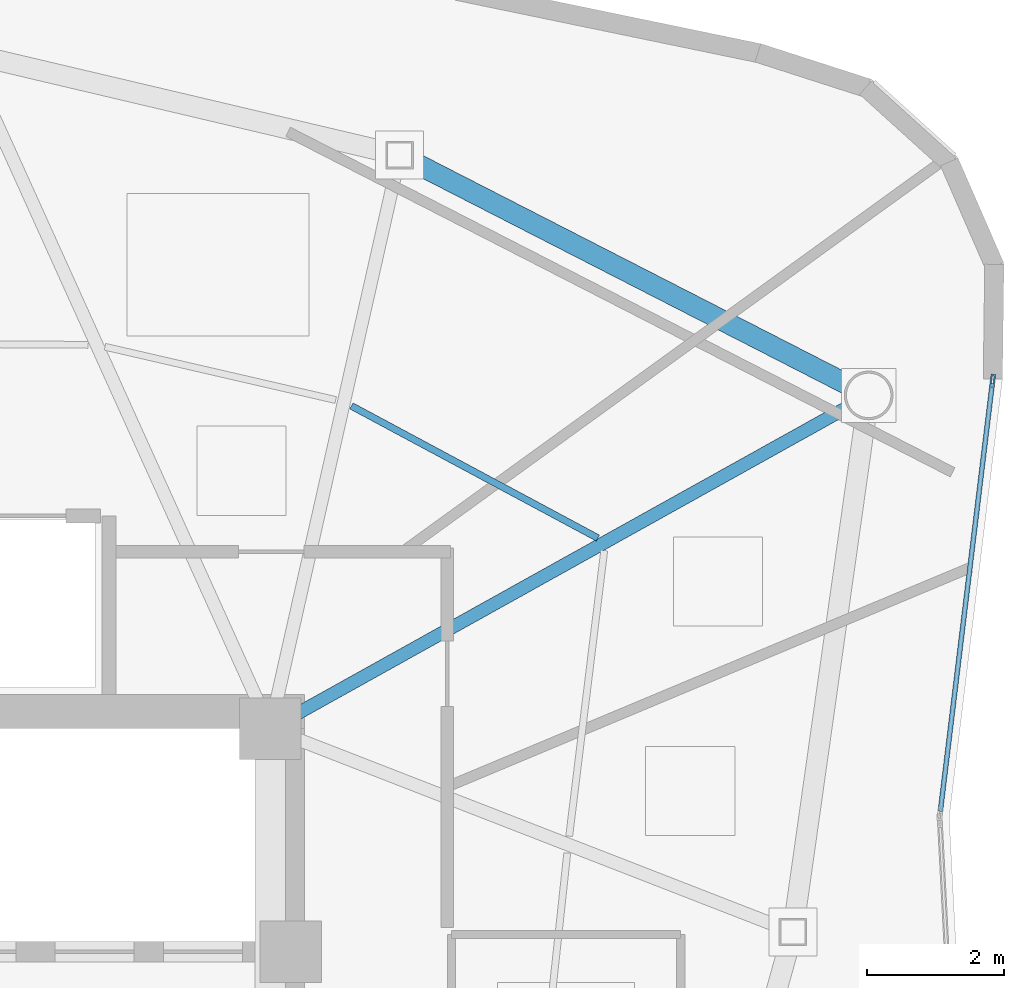
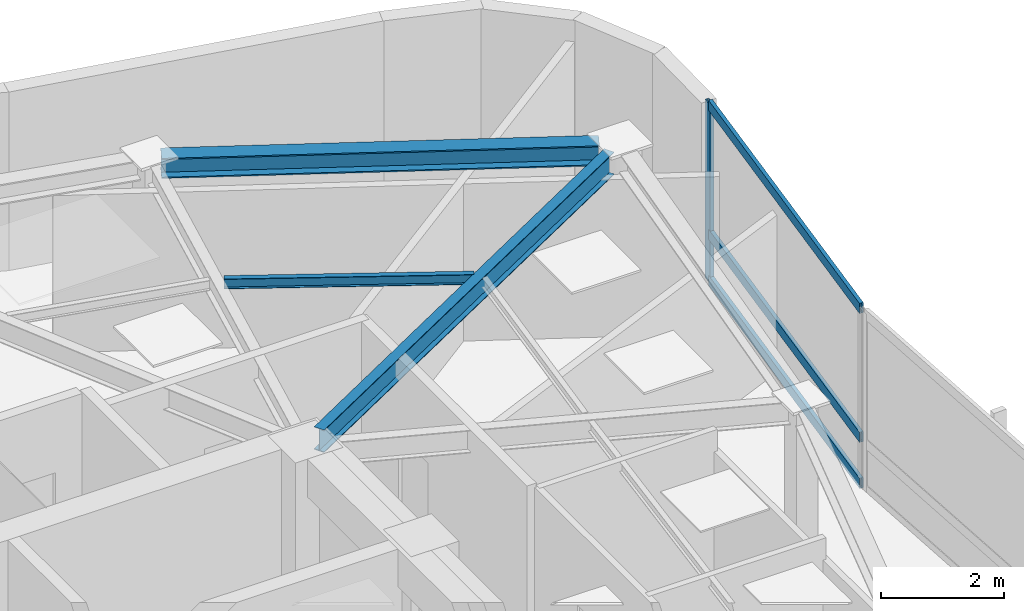
# One storey, part 6 of 12: 4 members, 3 beams, 1 element without a shape of its own.
"""IFC4 building model written with IfcOpenShell, lengths in metres."""

from ifc_helpers import new_model, si_unit, direction, frame, origin, origin_2d, place, context, subcontext, project, spatial, hollow_rectangle, i_section, extrude, source, transform, mapped, material, layer, layer_set, material_profile, profile_set, type_object, type_shapes, element, aggregate, save


model = new_model("IFC4")

# Units and contexts
model_context = context("Model", 3, precision=1e-05, world=origin(), true_north=direction((0.0, 1.0)))
body_context = subcontext(model_context, "Body", "Model", "MODEL_VIEW")
ifc_project = project(units=[si_unit("LENGTHUNIT", "METRE"), si_unit("AREAUNIT", "SQUARE_METRE"), si_unit("VOLUMEUNIT", "CUBIC_METRE"), si_unit("PLANEANGLEUNIT", "RADIAN"), si_unit("MASSUNIT", "GRAM", prefix="KILO")], contexts=[model_context])

# Site, building, storey
site_placement = place(None, origin())
site = spatial("IfcSite", under=ifc_project, at=site_placement, CompositionType="ELEMENT")
building_placement = place(site_placement, origin())
building = spatial("IfcBuilding", under=site, at=building_placement, Name="Tavelor Broadcast Tower", CompositionType="ELEMENT")
storey_placement = place(building_placement, frame((0.0, 0.0, 321.5)))
storey = spatial("IfcBuildingStorey", under=building, at=storey_placement, Name="L77", CompositionType="ELEMENT", Elevation=321.5)

# Beams
ifc_material_1 = material(Name="Steel S355", Category="steel")
ifc_material_profile_1 = material_profile(ifc_material_1, i_section(OverallWidth=0.10009765625, OverallDepth=0.199951171875, WebThickness=0.005615234375, FlangeThickness=0.008544921875, at=origin_2d()), Name="IPE 200")
ifc_profile_set_1 = profile_set([ifc_material_profile_1], Name="Steel S355")
beam_type_1 = type_object("IfcBeamType", Name="Composite Floor Joist T8 IPE 200", PredefinedType="JOIST", material=ifc_profile_set_1)
beam_1_placement = place(storey_placement, frame((61.372802734375, 53.97705078125, 3.449951171875), z_axis=(-0.881270485995, 0.47261224118, 0.0), x_axis=(-0.47261224118, -0.881270485995, 0.0)))
element("IfcBeam", 1, at=beam_1_placement, inside=storey, type_object=beam_type_1, Name="L77 Secondary Composite Floor Joist 13", PredefinedType="JOIST", context=body_context, shape_type="SweptSolid", body=[
    extrude(i_section(OverallWidth=0.10009765625, OverallDepth=0.199951171875, WebThickness=0.005615234375, FlangeThickness=0.008544921875, at=origin_2d()), origin(), (0.0, 0.0, 1.0), 4.0732421875),
])
ifc_material_profile_2 = material_profile(ifc_material_1, i_section(OverallWidth=0.300048828125, OverallDepth=0.39990234375, WebThickness=0.013427734375, FlangeThickness=0.02392578125, at=origin_2d()), Name="HEB 400")
ifc_profile_set_2 = profile_set([ifc_material_profile_2], Name="Steel S355")
beam_type_2 = type_object("IfcBeamType", Name="Perimeter Spandrel Beam T8 HEB 400", PredefinedType="SPANDREL", material=ifc_profile_set_2)
beam_2_placement = place(storey_placement, frame((65.015869140625, 56.211181640625, 3.35009765625), z_axis=(-0.889983170291, 0.455993373415, 0.0), x_axis=(-0.455993373415, -0.889983170291, 0.0)))
element("IfcBeam", 2, at=beam_2_placement, inside=storey, type_object=beam_type_2, Name="L77 Framed-Tube Ring Spandrel 13", PredefinedType="SPANDREL", context=body_context, shape_type="SweptSolid", body=[
    extrude(i_section(OverallWidth=0.300048828125, OverallDepth=0.39990234375, WebThickness=0.013427734375, FlangeThickness=0.02392578125, at=origin_2d()), origin(), (0.0, 0.0, 1.0), 7.1455078125),
])
ifc_material_profile_3 = material_profile(ifc_material_1, i_section(OverallWidth=0.18994140625, OverallDepth=0.449951171875, WebThickness=0.009521484375, FlangeThickness=0.0146484375, at=origin_2d()), Name="IPE 450")
ifc_profile_set_3 = profile_set([ifc_material_profile_3], Name="Steel S355")
beam_type_3 = type_object("IfcBeamType", Name="Radial Floor Girder T8 IPE 450", PredefinedType="BEAM", material=ifc_profile_set_3)
beam_3_placement = place(storey_placement, frame((56.977294921875, 51.41015625, 3.324951171875), z_axis=(0.87366652502, 0.486525233734, 0.0), x_axis=(-0.486525233734, 0.87366652502, 0.0)))
element("IfcBeam", 3, at=beam_3_placement, inside=storey, type_object=beam_type_3, Name="L77 Radial Primary Floor Girder 13", PredefinedType="BEAM", context=body_context, shape_type="SweptSolid", body=[
    extrude(i_section(OverallWidth=0.18994140625, OverallDepth=0.449951171875, WebThickness=0.009521484375, FlangeThickness=0.0146484375, at=origin_2d()), origin(), (0.0, 0.0, 1.0), 9.20703125),
])

# Curtain wall, members
ifc_material_2 = material(Name="Architectural Anodized Aluminium", Category="aluminium")
ifc_layer = layer(ifc_material_2, 0.199951171875)
ifc_layer_set = layer_set([ifc_layer], Name="Architectural Anodized Aluminium")
curtain_wall_type = type_object("IfcCurtainWallType", Name="Tower High-Zone Triple-Glazed Curtain Wall CW04", PredefinedType="NOTDEFINED", material=ifc_layer_set)
curtain_wall_placement = place(storey_placement, origin())
curtain_wall = element("IfcCurtainWall", 4, at=curtain_wall_placement, inside=storey, type_object=curtain_wall_type, Name="L77 Curtain Wall CW04 Run 860", PredefinedType="NOTDEFINED")
ifc_material_profile_4 = material_profile(ifc_material_2, hollow_rectangle(XDim=0.070068359375, YDim=0.199951171875, WallThickness=0.02197265625, at=origin_2d()), Name="RHS 70x200x22")
ifc_profile_set_4 = profile_set([ifc_material_profile_4], Name="Architectural Anodized Aluminium")
member_type_1 = type_object("IfcMemberType", Name="CW04 Extruded Aluminium Mullion 70x200", PredefinedType="MULLION", material=ifc_profile_set_4)
shared_shape_1 = source(origin(), body_context, "Body", "SweptSolid", [
    extrude(hollow_rectangle(XDim=0.070068359375, YDim=0.199951171875, WallThickness=0.02197265625, at=origin_2d()), origin(), (0.0, 0.0, 1.0), 3.550048828125),
])
type_shapes(member_type_1, [shared_shape_1])
member_1_placement = place(storey_placement, frame((67.125, 56.26416015625, 0.0), z_axis=(0.0, 0.0, 1.0), x_axis=(-0.992709569457, 0.120530953321, 0.0)))
member_1 = element("IfcMember", 5, at=member_1_placement, type_object=member_type_1, Name="CW04 mullion 2", PredefinedType="MULLION", context=body_context, shape_type="MappedRepresentation", body=[
    mapped(shared_shape_1, transform((0.0, 0.0, 0.0), scale=1.0)),
])
ifc_material_profile_5 = material_profile(ifc_material_2, hollow_rectangle(XDim=0.070068359375, YDim=0.199951171875, WallThickness=0.02197265625, at=origin_2d()), Name="RHS 70x200x22")
ifc_profile_set_5 = profile_set([ifc_material_profile_5], Name="Architectural Anodized Aluminium")
member_type_2 = type_object("IfcMemberType", Name="CW04 Extruded Aluminium Transom 70x200", PredefinedType="USERDEFINED", material=ifc_profile_set_5)
shared_shape_2 = source(origin(), body_context, "Body", "SweptSolid", [
    extrude(hollow_rectangle(XDim=0.070068359375, YDim=0.199951171875, WallThickness=0.02197265625, at=origin_2d()), origin(), (0.0, 0.0, 1.0), 6.279052734375),
])
type_shapes(member_type_2, [shared_shape_2])
member_2_placement = place(storey_placement, frame((66.36376953125, 49.99609375, 0.034912109375), z_axis=(0.120535735587, 0.992708988801, 0.0), x_axis=(-0.992708988801, 0.120535735587, 0.0)))
member_2 = element("IfcMember", 6, at=member_2_placement, type_object=member_type_2, Name="CW04 transom 1.1", ObjectType="TRANSOM", PredefinedType="USERDEFINED", context=body_context, shape_type="MappedRepresentation", body=[
    mapped(shared_shape_2, transform((0.0, 0.0, 0.0), scale=1.0)),
])
member_3_placement = place(storey_placement, frame((66.36376953125, 49.99609375, 0.949951171875), z_axis=(0.120535735587, 0.992708988801, 0.0), x_axis=(-0.992708988801, 0.120535735587, 0.0)))
member_3 = element("IfcMember", 7, at=member_3_placement, type_object=member_type_2, Name="CW04 transom 1.2", ObjectType="TRANSOM", PredefinedType="USERDEFINED", context=body_context, shape_type="MappedRepresentation", body=[
    mapped(shared_shape_2, transform((0.0, 0.0, 0.0), scale=1.0)),
])
member_4_placement = place(storey_placement, frame((66.36376953125, 49.99609375, 3.514892578125), z_axis=(0.120535735587, 0.992708988801, 0.0), x_axis=(-0.992708988801, 0.120535735587, 0.0)))
member_4 = element("IfcMember", 8, at=member_4_placement, type_object=member_type_2, Name="CW04 transom 1.3", ObjectType="TRANSOM", PredefinedType="USERDEFINED", context=body_context, shape_type="MappedRepresentation", body=[
    mapped(shared_shape_2, transform((0.0, 0.0, 0.0), scale=1.0)),
])
aggregate(curtain_wall, [member_1, member_2, member_3, member_4])

save(model, "model.ifc")
